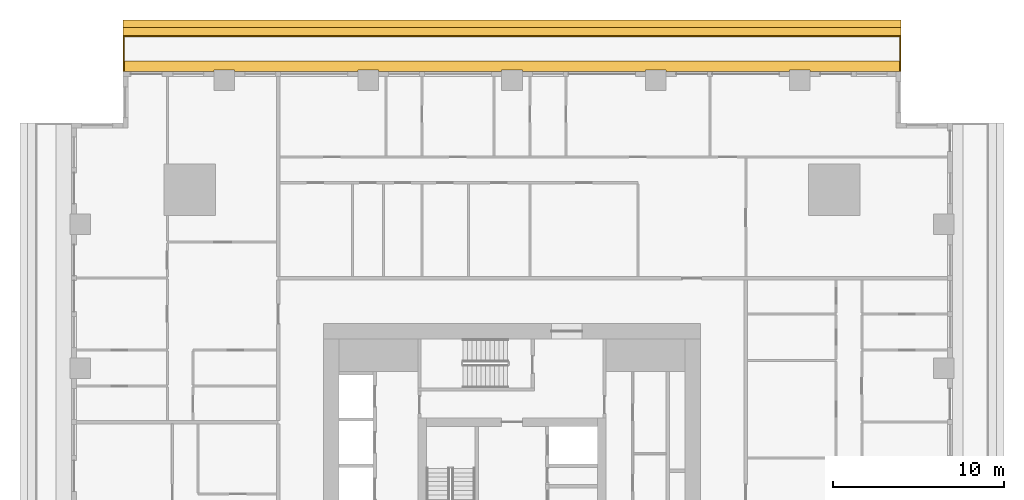
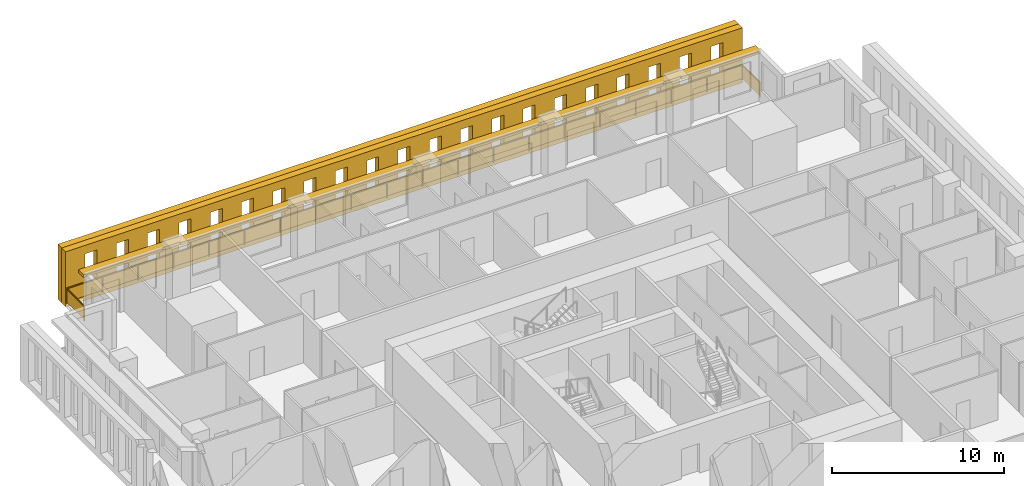
# One storey, part 14 of 14: 3 shading devices, 1 railing.
"""IFC4 building model written with IfcOpenShell, lengths in metres."""

from ifc_helpers import new_model, si_unit, direction, frame, origin, origin_2d, place, context, subcontext, project, spatial, polyline, rectangle, outline, extrude, material, layer, layer_set, type_object, element, save


model = new_model("IFC4")

# Units and contexts
model_context = context("Model", 3, precision=1e-05, world=origin(), true_north=direction((0.0, 1.0)))
body_context = subcontext(model_context, "Body", "Model", "MODEL_VIEW")
ifc_project = project(units=[si_unit("LENGTHUNIT", "METRE"), si_unit("AREAUNIT", "SQUARE_METRE"), si_unit("VOLUMEUNIT", "CUBIC_METRE"), si_unit("PLANEANGLEUNIT", "RADIAN"), si_unit("MASSUNIT", "GRAM", prefix="KILO")], contexts=[model_context])

# Site, building, storey
site_placement = place(None, origin())
site = spatial("IfcSite", under=ifc_project, at=site_placement, CompositionType="ELEMENT")
building_placement = place(site_placement, origin())
building = spatial("IfcBuilding", under=site, at=building_placement, Name="Khepri Terraces", CompositionType="ELEMENT")
storey_placement = place(building_placement, frame((0.0, 0.0, 62.10009765625)))
storey = spatial("IfcBuildingStorey", under=building, at=storey_placement, Name="L14", CompositionType="ELEMENT", Elevation=62.10009765625)

# Railing
ifc_material_1 = material(Name="Stainless steel grade 316", Category="steel")
railing_type = type_object("IfcRailingType", Name="GRD-BAL-1100", PredefinedType="GUARDRAIL", material=ifc_material_1)
railing_placement = place(storey_placement, frame((22.669921875, 25.719970703125, 0.0)))
element("IfcRailing", 1, at=railing_placement, inside=storey, type_object=railing_type, Name="Balcony guard L14 N", PredefinedType="GUARDRAIL", context=body_context, shape_type="SweptSolid", body=[
    extrude(rectangle(XDim=0.050048828125, YDim=0.06005859375, at=origin_2d()), frame((0.0, 0.0, 1.070068359375), z_axis=(0.0, 1.0, 0.0), x_axis=(-1.0, 0.0, 0.0)), (0.0, 0.0, 1.0), 2.050048828125),
    extrude(rectangle(XDim=2.0, YDim=0.011962890625, at=origin_2d()), frame((0.0, 1.02490234375, 0.10009765625), z_axis=(0.0, 0.0, 1.0), x_axis=(0.0, 1.0, 0.0)), (0.0, 0.0, 1.0), 0.93994140625),
    extrude(rectangle(XDim=0.050048828125, YDim=0.06005859375, at=origin_2d()), frame((0.0, 2.050048828125, 1.070068359375), z_axis=(-1.0, 0.0, 0.0), x_axis=(0.0, -1.0, 0.0)), (0.0, 0.0, 1.0), 45.33984375),
    extrude(rectangle(XDim=2.336181640625, YDim=0.011962890625, at=origin_2d()), frame((-1.193115234375, 2.050048828125, 0.10009765625), z_axis=(0.0, 0.0, 1.0), x_axis=(-1.0, 0.0, 0.0)), (0.0, 0.0, 1.0), 0.93994140625),
    extrude(rectangle(XDim=2.336181640625, YDim=0.011962890625, at=origin_2d()), frame((-3.579345703125, 2.050048828125, 0.10009765625), z_axis=(0.0, 0.0, 1.0), x_axis=(-1.0, 0.0, 0.0)), (0.0, 0.0, 1.0), 0.93994140625),
    extrude(rectangle(XDim=2.336181640625, YDim=0.011962890625, at=origin_2d()), frame((-5.9658203125, 2.050048828125, 0.10009765625), z_axis=(0.0, 0.0, 1.0), x_axis=(-1.0, 0.0, 0.0)), (0.0, 0.0, 1.0), 0.93994140625),
    extrude(rectangle(XDim=2.336181640625, YDim=0.011962890625, at=origin_2d()), frame((-8.35205078125, 2.050048828125, 0.10009765625), z_axis=(0.0, 0.0, 1.0), x_axis=(-1.0, 0.0, 0.0)), (0.0, 0.0, 1.0), 0.93994140625),
    extrude(rectangle(XDim=2.336181640625, YDim=0.011962890625, at=origin_2d()), frame((-10.73828125, 2.050048828125, 0.10009765625), z_axis=(0.0, 0.0, 1.0), x_axis=(-1.0, 0.0, 0.0)), (0.0, 0.0, 1.0), 0.93994140625),
    extrude(rectangle(XDim=2.336181640625, YDim=0.011962890625, at=origin_2d()), frame((-13.124755859375, 2.050048828125, 0.10009765625), z_axis=(0.0, 0.0, 1.0), x_axis=(-1.0, 0.0, 0.0)), (0.0, 0.0, 1.0), 0.93994140625),
    extrude(rectangle(XDim=2.336181640625, YDim=0.011962890625, at=origin_2d()), frame((-15.510986328125, 2.050048828125, 0.10009765625), z_axis=(0.0, 0.0, 1.0), x_axis=(-1.0, 0.0, 0.0)), (0.0, 0.0, 1.0), 0.93994140625),
    extrude(rectangle(XDim=2.336181640625, YDim=0.011962890625, at=origin_2d()), frame((-17.897216796875, 2.050048828125, 0.10009765625), z_axis=(0.0, 0.0, 1.0), x_axis=(-1.0, 0.0, 0.0)), (0.0, 0.0, 1.0), 0.93994140625),
    extrude(rectangle(XDim=2.336181640625, YDim=0.011962890625, at=origin_2d()), frame((-20.28369140625, 2.050048828125, 0.10009765625), z_axis=(0.0, 0.0, 1.0), x_axis=(-1.0, 0.0, 0.0)), (0.0, 0.0, 1.0), 0.93994140625),
    extrude(rectangle(XDim=2.336181640625, YDim=0.011962890625, at=origin_2d()), frame((-22.669921875, 2.050048828125, 0.10009765625), z_axis=(0.0, 0.0, 1.0), x_axis=(-1.0, 0.0, 0.0)), (0.0, 0.0, 1.0), 0.93994140625),
    extrude(rectangle(XDim=2.336181640625, YDim=0.011962890625, at=origin_2d()), frame((-25.05615234375, 2.050048828125, 0.10009765625), z_axis=(0.0, 0.0, 1.0), x_axis=(-1.0, 0.0, 0.0)), (0.0, 0.0, 1.0), 0.93994140625),
    extrude(rectangle(XDim=2.336181640625, YDim=0.011962890625, at=origin_2d()), frame((-27.442626953125, 2.050048828125, 0.10009765625), z_axis=(0.0, 0.0, 1.0), x_axis=(-1.0, 0.0, 0.0)), (0.0, 0.0, 1.0), 0.93994140625),
    extrude(rectangle(XDim=2.336181640625, YDim=0.011962890625, at=origin_2d()), frame((-29.828857421875, 2.050048828125, 0.10009765625), z_axis=(0.0, 0.0, 1.0), x_axis=(-1.0, 0.0, 0.0)), (0.0, 0.0, 1.0), 0.93994140625),
    extrude(rectangle(XDim=2.336181640625, YDim=0.011962890625, at=origin_2d()), frame((-32.215087890625, 2.050048828125, 0.10009765625), z_axis=(0.0, 0.0, 1.0), x_axis=(-1.0, 0.0, 0.0)), (0.0, 0.0, 1.0), 0.93994140625),
    extrude(rectangle(XDim=2.336181640625, YDim=0.011962890625, at=origin_2d()), frame((-34.6015625, 2.050048828125, 0.10009765625), z_axis=(0.0, 0.0, 1.0), x_axis=(-1.0, 0.0, 0.0)), (0.0, 0.0, 1.0), 0.93994140625),
    extrude(rectangle(XDim=2.336181640625, YDim=0.011962890625, at=origin_2d()), frame((-36.98779296875, 2.050048828125, 0.10009765625), z_axis=(0.0, 0.0, 1.0), x_axis=(-1.0, 0.0, 0.0)), (0.0, 0.0, 1.0), 0.93994140625),
    extrude(rectangle(XDim=2.336181640625, YDim=0.011962890625, at=origin_2d()), frame((-39.3740234375, 2.050048828125, 0.10009765625), z_axis=(0.0, 0.0, 1.0), x_axis=(-1.0, 0.0, 0.0)), (0.0, 0.0, 1.0), 0.93994140625),
    extrude(rectangle(XDim=2.336181640625, YDim=0.011962890625, at=origin_2d()), frame((-41.760498046875, 2.050048828125, 0.10009765625), z_axis=(0.0, 0.0, 1.0), x_axis=(-1.0, 0.0, 0.0)), (0.0, 0.0, 1.0), 0.93994140625),
    extrude(rectangle(XDim=2.336181640625, YDim=0.011962890625, at=origin_2d()), frame((-44.146728515625, 2.050048828125, 0.10009765625), z_axis=(0.0, 0.0, 1.0), x_axis=(-1.0, 0.0, 0.0)), (0.0, 0.0, 1.0), 0.93994140625),
    extrude(rectangle(XDim=0.050048828125, YDim=0.06005859375, at=origin_2d()), frame((-45.33984375, 2.050048828125, 1.070068359375), z_axis=(0.0, -1.0, 0.0), x_axis=(1.0, 0.0, 0.0)), (0.0, 0.0, 1.0), 2.050048828125),
    extrude(rectangle(XDim=2.0, YDim=0.011962890625, at=origin_2d()), frame((-45.33984375, 1.02490234375, 0.10009765625), z_axis=(0.0, 0.0, 1.0), x_axis=(0.0, -1.0, 0.0)), (0.0, 0.0, 1.0), 0.93994140625),
    extrude(rectangle(XDim=0.050048828125, YDim=0.050048828125, at=origin_2d()), origin(), (0.0, 0.0, 1.0), 1.0400390625),
    extrude(rectangle(XDim=0.050048828125, YDim=0.050048828125, at=origin_2d()), frame((0.0, 2.050048828125, 0.0)), (0.0, 0.0, 1.0), 1.0400390625),
    extrude(rectangle(XDim=0.050048828125, YDim=0.050048828125, at=origin_2d()), frame((-2.38623046875, 2.050048828125, 0.0)), (0.0, 0.0, 1.0), 1.0400390625),
    extrude(rectangle(XDim=0.050048828125, YDim=0.050048828125, at=origin_2d()), frame((-4.772705078125, 2.050048828125, 0.0)), (0.0, 0.0, 1.0), 1.0400390625),
    extrude(rectangle(XDim=0.050048828125, YDim=0.050048828125, at=origin_2d()), frame((-7.158935546875, 2.050048828125, 0.0)), (0.0, 0.0, 1.0), 1.0400390625),
    extrude(rectangle(XDim=0.050048828125, YDim=0.050048828125, at=origin_2d()), frame((-9.545166015625, 2.050048828125, 0.0)), (0.0, 0.0, 1.0), 1.0400390625),
    extrude(rectangle(XDim=0.050048828125, YDim=0.050048828125, at=origin_2d()), frame((-11.931640625, 2.050048828125, 0.0)), (0.0, 0.0, 1.0), 1.0400390625),
    extrude(rectangle(XDim=0.050048828125, YDim=0.050048828125, at=origin_2d()), frame((-14.31787109375, 2.050048828125, 0.0)), (0.0, 0.0, 1.0), 1.0400390625),
    extrude(rectangle(XDim=0.050048828125, YDim=0.050048828125, at=origin_2d()), frame((-16.7041015625, 2.050048828125, 0.0)), (0.0, 0.0, 1.0), 1.0400390625),
    extrude(rectangle(XDim=0.050048828125, YDim=0.050048828125, at=origin_2d()), frame((-19.090576171875, 2.050048828125, 0.0)), (0.0, 0.0, 1.0), 1.0400390625),
    extrude(rectangle(XDim=0.050048828125, YDim=0.050048828125, at=origin_2d()), frame((-21.476806640625, 2.050048828125, 0.0)), (0.0, 0.0, 1.0), 1.0400390625),
    extrude(rectangle(XDim=0.050048828125, YDim=0.050048828125, at=origin_2d()), frame((-23.863037109375, 2.050048828125, 0.0)), (0.0, 0.0, 1.0), 1.0400390625),
    extrude(rectangle(XDim=0.050048828125, YDim=0.050048828125, at=origin_2d()), frame((-26.249267578125, 2.050048828125, 0.0)), (0.0, 0.0, 1.0), 1.0400390625),
    extrude(rectangle(XDim=0.050048828125, YDim=0.050048828125, at=origin_2d()), frame((-28.6357421875, 2.050048828125, 0.0)), (0.0, 0.0, 1.0), 1.0400390625),
    extrude(rectangle(XDim=0.050048828125, YDim=0.050048828125, at=origin_2d()), frame((-31.02197265625, 2.050048828125, 0.0)), (0.0, 0.0, 1.0), 1.0400390625),
    extrude(rectangle(XDim=0.050048828125, YDim=0.050048828125, at=origin_2d()), frame((-33.408203125, 2.050048828125, 0.0)), (0.0, 0.0, 1.0), 1.0400390625),
    extrude(rectangle(XDim=0.050048828125, YDim=0.050048828125, at=origin_2d()), frame((-35.794677734375, 2.050048828125, 0.0)), (0.0, 0.0, 1.0), 1.0400390625),
    extrude(rectangle(XDim=0.050048828125, YDim=0.050048828125, at=origin_2d()), frame((-38.180908203125, 2.050048828125, 0.0)), (0.0, 0.0, 1.0), 1.0400390625),
    extrude(rectangle(XDim=0.050048828125, YDim=0.050048828125, at=origin_2d()), frame((-40.567138671875, 2.050048828125, 0.0)), (0.0, 0.0, 1.0), 1.0400390625),
    extrude(rectangle(XDim=0.050048828125, YDim=0.050048828125, at=origin_2d()), frame((-42.95361328125, 2.050048828125, 0.0)), (0.0, 0.0, 1.0), 1.0400390625),
    extrude(rectangle(XDim=0.050048828125, YDim=0.050048828125, at=origin_2d()), frame((-45.33984375, 2.050048828125, 0.0)), (0.0, 0.0, 1.0), 1.0400390625),
    extrude(rectangle(XDim=0.050048828125, YDim=0.050048828125, at=origin_2d()), frame((-45.33984375, 0.0, 0.0)), (0.0, 0.0, 1.0), 1.0400390625),
])

# Shading devices
ifc_material_2 = material(Name="Precast concrete C50/60 warm stone", Category="masonry")
shading_device_type_1 = type_object("IfcShadingDeviceType", Name="SCR-CELL-INNER-450", PredefinedType="USERDEFINED", material=ifc_material_2)
shading_device_1_placement = place(storey_placement, frame((22.719970703125, 27.820068359375, -0.25), z_axis=(0.0, 1.0, 0.0), x_axis=(-1.0, 0.0, 0.0)))
element("IfcShadingDevice", 2, at=shading_device_1_placement, inside=storey, type_object=shading_device_type_1, Name="Cell screen L14 N in", ObjectType="SCREEN", PredefinedType="USERDEFINED", context=body_context, shape_type="SweptSolid", body=[
    extrude(outline(polyline([(0.0, 0.0), (45.43994140625, 0.0), (45.43994140625, 3.89990234375), (0.0, 3.89990234375), (0.0, 0.0)]), holes=[polyline([(1.318359375, 0.699951171875), (2.12158203125, 0.699951171875), (2.12158203125, 3.300048828125), (1.318359375, 3.300048828125), (1.318359375, 0.699951171875)]), polyline([(3.41845703125, 0.699951171875), (4.2216796875, 0.699951171875), (4.2216796875, 3.300048828125), (3.41845703125, 3.300048828125), (3.41845703125, 0.699951171875)]), polyline([(5.518310546875, 0.699951171875), (6.321533203125, 0.699951171875), (6.321533203125, 3.300048828125), (5.518310546875, 3.300048828125), (5.518310546875, 0.699951171875)]), polyline([(7.618408203125, 0.699951171875), (8.421630859375, 0.699951171875), (8.421630859375, 3.300048828125), (7.618408203125, 3.300048828125), (7.618408203125, 0.699951171875)]), polyline([(9.718505859375, 0.699951171875), (10.521484375, 0.699951171875), (10.521484375, 3.300048828125), (9.718505859375, 3.300048828125), (9.718505859375, 0.699951171875)]), polyline([(11.818359375, 0.699951171875), (12.62158203125, 0.699951171875), (12.62158203125, 3.300048828125), (11.818359375, 3.300048828125), (11.818359375, 0.699951171875)]), polyline([(13.91845703125, 0.699951171875), (14.7216796875, 0.699951171875), (14.7216796875, 3.300048828125), (13.91845703125, 3.300048828125), (13.91845703125, 0.699951171875)]), polyline([(16.018310546875, 0.699951171875), (16.821533203125, 0.699951171875), (16.821533203125, 3.300048828125), (16.018310546875, 3.300048828125), (16.018310546875, 0.699951171875)]), polyline([(18.118408203125, 0.699951171875), (18.921630859375, 0.699951171875), (18.921630859375, 3.300048828125), (18.118408203125, 3.300048828125), (18.118408203125, 0.699951171875)]), polyline([(20.218505859375, 0.699951171875), (21.021484375, 0.699951171875), (21.021484375, 3.300048828125), (20.218505859375, 3.300048828125), (20.218505859375, 0.699951171875)]), polyline([(22.318359375, 0.699951171875), (23.12158203125, 0.699951171875), (23.12158203125, 3.300048828125), (22.318359375, 3.300048828125), (22.318359375, 0.699951171875)]), polyline([(24.41845703125, 0.699951171875), (25.2216796875, 0.699951171875), (25.2216796875, 3.300048828125), (24.41845703125, 3.300048828125), (24.41845703125, 0.699951171875)]), polyline([(26.518310546875, 0.699951171875), (27.321533203125, 0.699951171875), (27.321533203125, 3.300048828125), (26.518310546875, 3.300048828125), (26.518310546875, 0.699951171875)]), polyline([(28.618408203125, 0.699951171875), (29.421630859375, 0.699951171875), (29.421630859375, 3.300048828125), (28.618408203125, 3.300048828125), (28.618408203125, 0.699951171875)]), polyline([(30.718505859375, 0.699951171875), (31.521484375, 0.699951171875), (31.521484375, 3.300048828125), (30.718505859375, 3.300048828125), (30.718505859375, 0.699951171875)]), polyline([(32.818359375, 0.699951171875), (33.62158203125, 0.699951171875), (33.62158203125, 3.300048828125), (32.818359375, 3.300048828125), (32.818359375, 0.699951171875)]), polyline([(34.91845703125, 0.699951171875), (35.7216796875, 0.699951171875), (35.7216796875, 3.300048828125), (34.91845703125, 3.300048828125), (34.91845703125, 0.699951171875)]), polyline([(37.018310546875, 0.699951171875), (37.821533203125, 0.699951171875), (37.821533203125, 3.300048828125), (37.018310546875, 3.300048828125), (37.018310546875, 0.699951171875)]), polyline([(39.118408203125, 0.699951171875), (39.921630859375, 0.699951171875), (39.921630859375, 3.300048828125), (39.118408203125, 3.300048828125), (39.118408203125, 0.699951171875)]), polyline([(41.218505859375, 0.699951171875), (42.021484375, 0.699951171875), (42.021484375, 3.300048828125), (41.218505859375, 3.300048828125), (41.218505859375, 0.699951171875)]), polyline([(43.318359375, 0.699951171875), (44.12158203125, 0.699951171875), (44.12158203125, 3.300048828125), (43.318359375, 3.300048828125), (43.318359375, 0.699951171875)])]), origin(), (0.0, 0.0, 1.0), 0.449951171875),
])
shading_device_type_2 = type_object("IfcShadingDeviceType", Name="SCR-CELL-OUTER-450", PredefinedType="USERDEFINED", material=ifc_material_2)
shading_device_2_placement = place(storey_placement, frame((22.719970703125, 28.27001953125, -0.25), z_axis=(0.0, 1.0, 0.0), x_axis=(-1.0, 0.0, 0.0)))
element("IfcShadingDevice", 3, at=shading_device_2_placement, inside=storey, type_object=shading_device_type_2, Name="Cell screen L14 N out", ObjectType="SCREEN", PredefinedType="USERDEFINED", context=body_context, shape_type="SweptSolid", body=[
    extrude(outline(polyline([(0.0, 0.0), (45.43994140625, 0.0), (45.43994140625, 3.89990234375), (0.0, 3.89990234375), (0.0, 0.0)]), holes=[polyline([(0.968505859375, 0.449951171875), (2.4716796875, 0.449951171875), (2.4716796875, 3.550048828125), (0.968505859375, 3.550048828125), (0.968505859375, 0.449951171875)]), polyline([(3.068359375, 0.449951171875), (4.571533203125, 0.449951171875), (4.571533203125, 3.550048828125), (3.068359375, 3.550048828125), (3.068359375, 0.449951171875)]), polyline([(5.16845703125, 0.449951171875), (6.671630859375, 0.449951171875), (6.671630859375, 3.550048828125), (5.16845703125, 3.550048828125), (5.16845703125, 0.449951171875)]), polyline([(7.268310546875, 0.449951171875), (8.771484375, 0.449951171875), (8.771484375, 3.550048828125), (7.268310546875, 3.550048828125), (7.268310546875, 0.449951171875)]), polyline([(9.368408203125, 0.449951171875), (10.87158203125, 0.449951171875), (10.87158203125, 3.550048828125), (9.368408203125, 3.550048828125), (9.368408203125, 0.449951171875)]), polyline([(11.468505859375, 0.449951171875), (12.9716796875, 0.449951171875), (12.9716796875, 3.550048828125), (11.468505859375, 3.550048828125), (11.468505859375, 0.449951171875)]), polyline([(13.568359375, 0.449951171875), (15.071533203125, 0.449951171875), (15.071533203125, 3.550048828125), (13.568359375, 3.550048828125), (13.568359375, 0.449951171875)]), polyline([(15.66845703125, 0.449951171875), (17.171630859375, 0.449951171875), (17.171630859375, 3.550048828125), (15.66845703125, 3.550048828125), (15.66845703125, 0.449951171875)]), polyline([(17.768310546875, 0.449951171875), (19.271484375, 0.449951171875), (19.271484375, 3.550048828125), (17.768310546875, 3.550048828125), (17.768310546875, 0.449951171875)]), polyline([(19.868408203125, 0.449951171875), (21.37158203125, 0.449951171875), (21.37158203125, 3.550048828125), (19.868408203125, 3.550048828125), (19.868408203125, 0.449951171875)]), polyline([(21.968505859375, 0.449951171875), (23.4716796875, 0.449951171875), (23.4716796875, 3.550048828125), (21.968505859375, 3.550048828125), (21.968505859375, 0.449951171875)]), polyline([(24.068359375, 0.449951171875), (25.571533203125, 0.449951171875), (25.571533203125, 3.550048828125), (24.068359375, 3.550048828125), (24.068359375, 0.449951171875)]), polyline([(26.16845703125, 0.449951171875), (27.671630859375, 0.449951171875), (27.671630859375, 3.550048828125), (26.16845703125, 3.550048828125), (26.16845703125, 0.449951171875)]), polyline([(28.268310546875, 0.449951171875), (29.771484375, 0.449951171875), (29.771484375, 3.550048828125), (28.268310546875, 3.550048828125), (28.268310546875, 0.449951171875)]), polyline([(30.368408203125, 0.449951171875), (31.87158203125, 0.449951171875), (31.87158203125, 3.550048828125), (30.368408203125, 3.550048828125), (30.368408203125, 0.449951171875)]), polyline([(32.468505859375, 0.449951171875), (33.9716796875, 0.449951171875), (33.9716796875, 3.550048828125), (32.468505859375, 3.550048828125), (32.468505859375, 0.449951171875)]), polyline([(34.568359375, 0.449951171875), (36.071533203125, 0.449951171875), (36.071533203125, 3.550048828125), (34.568359375, 3.550048828125), (34.568359375, 0.449951171875)]), polyline([(36.66845703125, 0.449951171875), (38.171630859375, 0.449951171875), (38.171630859375, 3.550048828125), (36.66845703125, 3.550048828125), (36.66845703125, 0.449951171875)]), polyline([(38.768310546875, 0.449951171875), (40.271484375, 0.449951171875), (40.271484375, 3.550048828125), (38.768310546875, 3.550048828125), (38.768310546875, 0.449951171875)]), polyline([(40.868408203125, 0.449951171875), (42.37158203125, 0.449951171875), (42.37158203125, 3.550048828125), (40.868408203125, 3.550048828125), (40.868408203125, 0.449951171875)]), polyline([(42.968505859375, 0.449951171875), (44.4716796875, 0.449951171875), (44.4716796875, 3.550048828125), (42.968505859375, 3.550048828125), (42.968505859375, 0.449951171875)])]), origin(), (0.0, 0.0, 1.0), 0.449951171875),
])
ifc_layer = layer(ifc_material_2, 0.199951171875, Name="Precast concrete C50/60 warm stone", Category="masonry")
ifc_layer_set = layer_set([ifc_layer], Name="Precast concrete C50/60 warm stone")
shading_device_type_3 = type_object("IfcShadingDeviceType", Name="SSH-BAND-STONE-200-N", PredefinedType="USERDEFINED", material=ifc_layer_set)
shading_device_3_placement = place(storey_placement, frame((0.0, 0.0, 3.099853515625)))
element("IfcShadingDevice", 4, at=shading_device_3_placement, inside=storey, type_object=shading_device_type_3, Name="Sunshade band L14 N", ObjectType="SUNSHADE", PredefinedType="USERDEFINED", context=body_context, shape_type="SweptSolid", body=[
    extrude(outline(polyline([(17.39990234375, 25.719970703125), (22.719970703125, 25.719970703125), (22.719970703125, 26.320068359375), (-22.719970703125, 26.320068359375), (-22.719970703125, 25.719970703125), (-17.39990234375, 25.719970703125), (-17.39990234375, 25.800048828125), (-16.199951171875, 25.800048828125), (-16.199951171875, 25.719970703125), (-9.0, 25.719970703125), (-9.0, 25.800048828125), (-7.800048828125, 25.800048828125), (-7.800048828125, 25.719970703125), (-0.60009765625, 25.719970703125), (-0.60009765625, 25.800048828125), (0.60009765625, 25.800048828125), (0.60009765625, 25.719970703125), (7.800048828125, 25.719970703125), (7.800048828125, 25.800048828125), (9.0, 25.800048828125), (9.0, 25.719970703125), (16.199951171875, 25.719970703125), (16.199951171875, 25.800048828125), (17.39990234375, 25.800048828125), (17.39990234375, 25.719970703125)])), origin(), (0.0, 0.0, 1.0), 0.199951171875),
])

save(model, "model.ifc")
